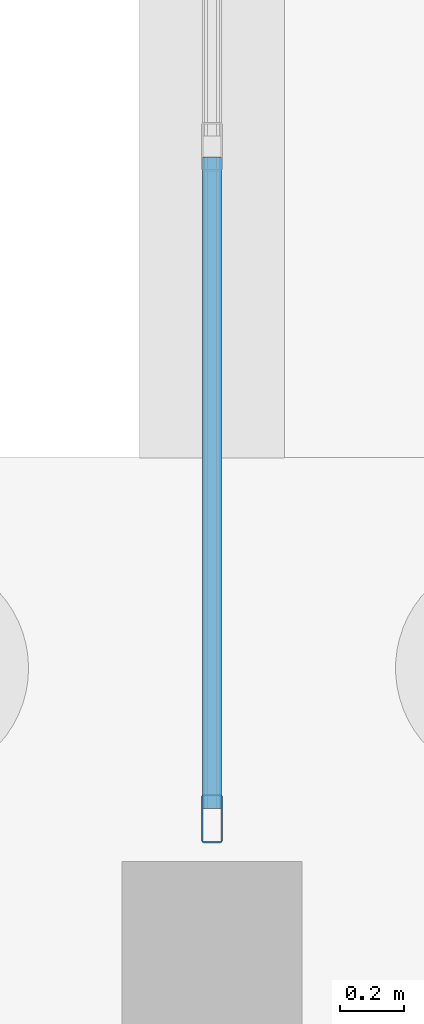
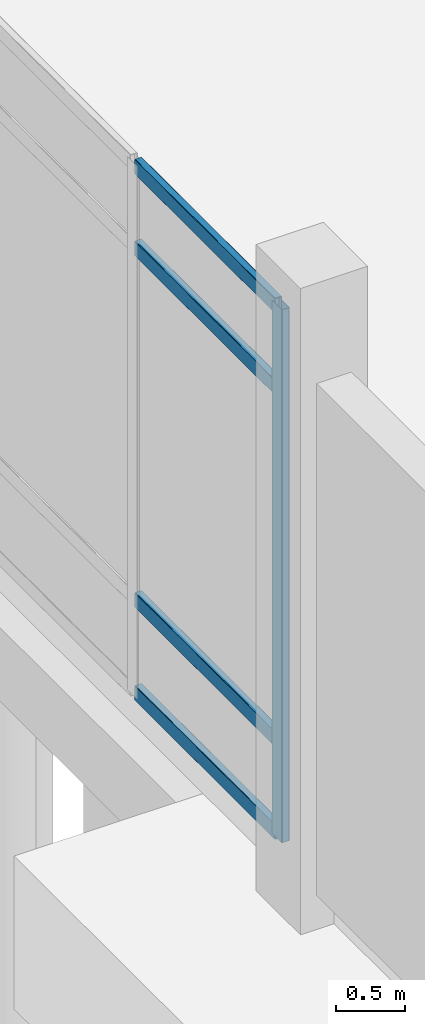
# One storey, part 62 of 109: 5 members, 1 element without a shape of its own.
"""IFC4 building model written with IfcOpenShell, lengths in metres."""

from ifc_helpers import new_model, si_unit, direction, frame, origin, origin_2d, place, context, subcontext, project, spatial, hollow_rectangle, extrude, material, material_profile, profile_set, type_object, element, aggregate, save


model = new_model("IFC4")

# Units and contexts
model_context = context("Model", 3, precision=1e-05, world=origin(), true_north=direction((0.0, 1.0)))
body_context = subcontext(model_context, "Body", "Model", "MODEL_VIEW")
ifc_project = project(units=[si_unit("LENGTHUNIT", "METRE"), si_unit("AREAUNIT", "SQUARE_METRE"), si_unit("VOLUMEUNIT", "CUBIC_METRE"), si_unit("PLANEANGLEUNIT", "RADIAN"), si_unit("MASSUNIT", "GRAM", prefix="KILO")], contexts=[model_context])

# Site, building, storey
site_placement = place(None, origin())
site = spatial("IfcSite", under=ifc_project, at=site_placement, CompositionType="ELEMENT")
building_placement = place(site_placement, origin())
building = spatial("IfcBuilding", under=site, at=building_placement, Name="Lusvemor Sports Hall", CompositionType="ELEMENT")
storey_placement = place(building_placement, origin())
storey = spatial("IfcBuildingStorey", under=building, at=storey_placement, Name="L00", CompositionType="ELEMENT", Elevation=0.0)

# Curtain wall, members
ifc_material_1 = material(Name="Thermally broken bronze-anodized aluminium", Category="aluminium")
curtain_wall_type = type_object("IfcCurtainWallType", Name="CW_CLIMB_D", PredefinedType="NOTDEFINED", material=ifc_material_1)
curtain_wall_placement = place(storey_placement, origin())
curtain_wall = element("IfcCurtainWall", 1, at=curtain_wall_placement, inside=storey, type_object=curtain_wall_type, Name="Curtain Wall CW-V3W-L00-2", PredefinedType="NOTDEFINED")
ifc_material_2 = material(Name="Thermally broken bronze-anodized aluminium", Category="aluminium")
ifc_material_profile_1 = material_profile(ifc_material_2, hollow_rectangle(XDim=0.06494140625, YDim=0.14990234375, WallThickness=0.00390625, InnerFilletRadius=0.00390625, OuterFilletRadius=0.008056640625, at=origin_2d()), Name="CWMUL150x65x4")
ifc_profile_set_1 = profile_set([ifc_material_profile_1], Name="Thermally broken bronze-anodized aluminium")
member_type_1 = type_object("IfcMemberType", Name="CW_MUL_B", PredefinedType="MULLION", material=ifc_profile_set_1)
member_1_placement = place(storey_placement, frame((133.199951171875, 61.652587890625, 0.0), z_axis=(0.0, 0.0, 1.0), x_axis=(-1.0, 0.0, 0.0)))
member_1 = element("IfcMember", 2, at=member_1_placement, type_object=member_type_1, Name="CW04 mullion 1", PredefinedType="MULLION", context=body_context, shape_type="SweptSolid", body=[
    extrude(hollow_rectangle(XDim=0.06494140625, YDim=0.14990234375, WallThickness=0.00390625, InnerFilletRadius=0.00390625, OuterFilletRadius=0.008056640625, at=origin_2d()), origin(), (0.0, 0.0, 1.0), 4.699951171875),
])
ifc_material_3 = material(Name="Thermally broken bronze-anodized aluminium", Category="aluminium")
ifc_material_profile_2 = material_profile(ifc_material_3, hollow_rectangle(XDim=0.06005859375, YDim=0.135009765625, WallThickness=0.00390625, InnerFilletRadius=0.00390625, OuterFilletRadius=0.008056640625, at=origin_2d()), Name="CWTRN135x60x4")
ifc_profile_set_2 = profile_set([ifc_material_profile_2], Name="Thermally broken bronze-anodized aluminium")
member_type_2 = type_object("IfcMemberType", Name="CW_TRN_B", PredefinedType="USERDEFINED", material=ifc_profile_set_2)
member_2_placement = place(storey_placement, frame((133.199951171875, 61.68505859375, 0.030029296875), z_axis=(0.0, 1.0, 0.0), x_axis=(-1.0, 0.0, 0.0)))
member_2 = element("IfcMember", 3, at=member_2_placement, type_object=member_type_2, Name="CW04 transom 1.1", ObjectType="TRANSOM", PredefinedType="USERDEFINED", context=body_context, shape_type="SweptSolid", body=[
    extrude(hollow_rectangle(XDim=0.06005859375, YDim=0.135009765625, WallThickness=0.00390625, InnerFilletRadius=0.00390625, OuterFilletRadius=0.008056640625, at=origin_2d()), origin(), (0.0, 0.0, 1.0), 2.0224609375),
])
member_3_placement = place(storey_placement, frame((133.199951171875, 61.68505859375, 0.85009765625), z_axis=(0.0, 1.0, 0.0), x_axis=(-1.0, 0.0, 0.0)))
member_3 = element("IfcMember", 4, at=member_3_placement, type_object=member_type_2, Name="CW04 transom 1.2", ObjectType="TRANSOM", PredefinedType="USERDEFINED", context=body_context, shape_type="SweptSolid", body=[
    extrude(hollow_rectangle(XDim=0.06005859375, YDim=0.135009765625, WallThickness=0.00390625, InnerFilletRadius=0.00390625, OuterFilletRadius=0.008056640625, at=origin_2d()), origin(), (0.0, 0.0, 1.0), 2.0224609375),
])
member_4_placement = place(storey_placement, frame((133.199951171875, 61.68505859375, 3.949951171875), z_axis=(0.0, 1.0, 0.0), x_axis=(-1.0, 0.0, 0.0)))
member_4 = element("IfcMember", 5, at=member_4_placement, type_object=member_type_2, Name="CW04 transom 1.3", ObjectType="TRANSOM", PredefinedType="USERDEFINED", context=body_context, shape_type="SweptSolid", body=[
    extrude(hollow_rectangle(XDim=0.06005859375, YDim=0.135009765625, WallThickness=0.00390625, InnerFilletRadius=0.00390625, OuterFilletRadius=0.008056640625, at=origin_2d()), origin(), (0.0, 0.0, 1.0), 2.0224609375),
])
member_5_placement = place(storey_placement, frame((133.199951171875, 61.68505859375, 4.669921875), z_axis=(0.0, 1.0, 0.0), x_axis=(-1.0, 0.0, 0.0)))
member_5 = element("IfcMember", 6, at=member_5_placement, type_object=member_type_2, Name="CW04 transom 1.4", ObjectType="TRANSOM", PredefinedType="USERDEFINED", context=body_context, shape_type="SweptSolid", body=[
    extrude(hollow_rectangle(XDim=0.06005859375, YDim=0.135009765625, WallThickness=0.00390625, InnerFilletRadius=0.00390625, OuterFilletRadius=0.008056640625, at=origin_2d()), origin(), (0.0, 0.0, 1.0), 2.0224609375),
])
aggregate(curtain_wall, [member_1, member_2, member_3, member_4, member_5])

save(model, "model.ifc")
